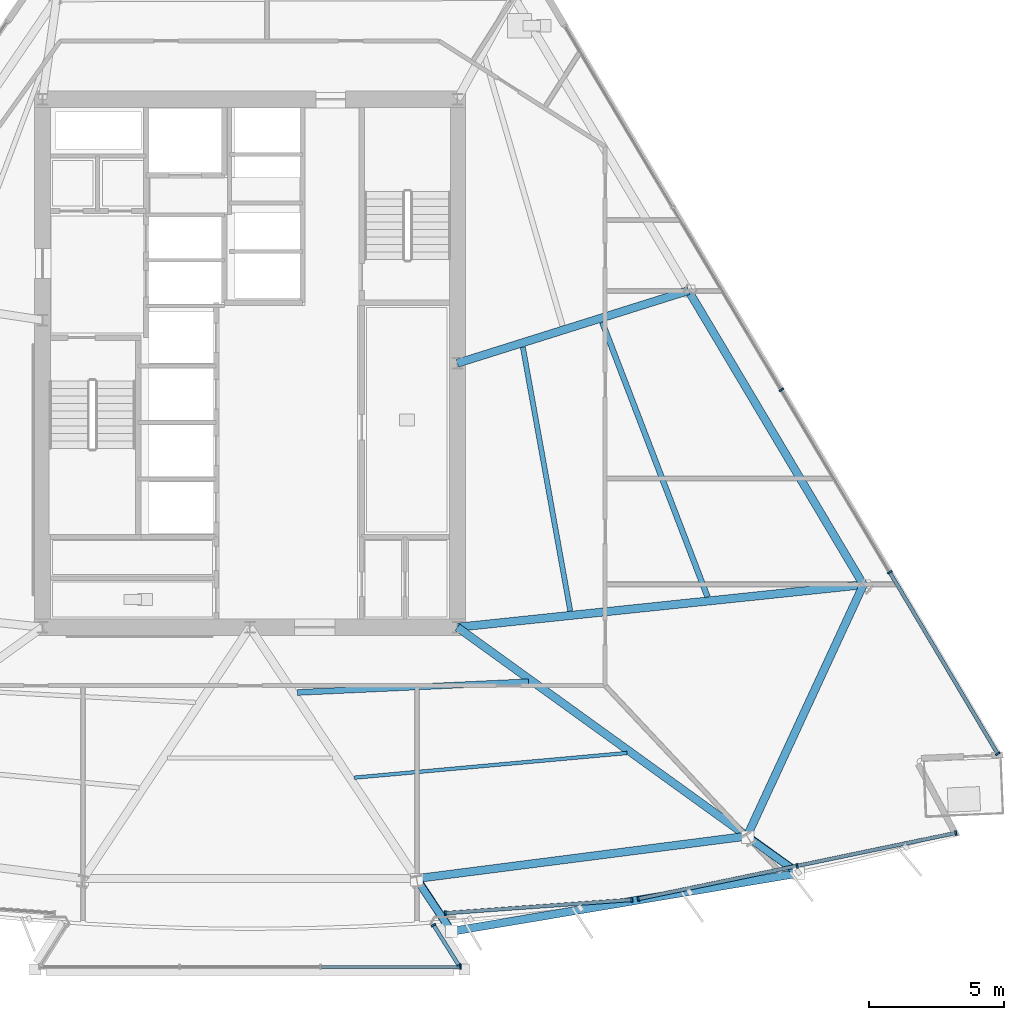
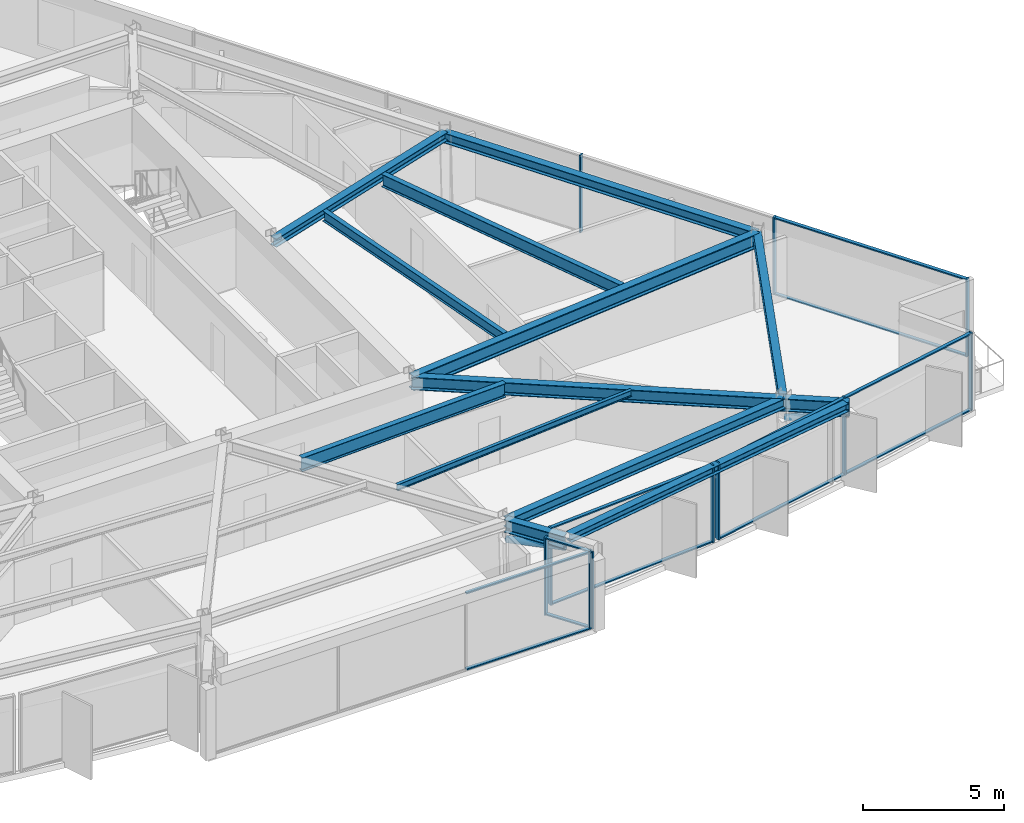
# One storey, part 4 of 15: 25 members, 13 beams, 5 elements without a shape of their own.
"""IFC4 building model written with IfcOpenShell, lengths in metres."""

from ifc_helpers import new_model, si_unit, direction, frame, origin, origin_2d, place, context, subcontext, project, spatial, rectangle, hollow_circle, i_section, extrude, material, material_profile, profile_set, type_object, element, aggregate, save


model = new_model("IFC4")

# Units and contexts
model_context = context("Model", 3, precision=1e-05, world=origin(), true_north=direction((0.0, 1.0)))
body_context = subcontext(model_context, "Body", "Model", "MODEL_VIEW")
ifc_project = project(units=[si_unit("LENGTHUNIT", "METRE"), si_unit("AREAUNIT", "SQUARE_METRE"), si_unit("VOLUMEUNIT", "CUBIC_METRE"), si_unit("PLANEANGLEUNIT", "RADIAN"), si_unit("MASSUNIT", "GRAM", prefix="KILO")], contexts=[model_context])

# Site, building, storey
site_placement = place(None, origin())
site = spatial("IfcSite", under=ifc_project, at=site_placement, CompositionType="ELEMENT")
building_placement = place(site_placement, origin())
building = spatial("IfcBuilding", under=site, at=building_placement, Name="Savorim Split Tower", CompositionType="ELEMENT")
storey_placement = place(building_placement, frame((0.0, 0.0, 118.5)))
storey = spatial("IfcBuildingStorey", under=building, at=storey_placement, Name="L31", CompositionType="ELEMENT", Elevation=118.5)

# Beams
ifc_material_1 = material(Name="Steel S355", Category="steel")
ifc_material_profile_1 = material_profile(ifc_material_1, i_section(OverallWidth=0.135009765625, OverallDepth=0.27001953125, WebThickness=0.006591796875, FlangeThickness=0.01025390625, FilletRadius=0.014892578125, at=origin_2d()), Name="IPE 270")
ifc_profile_set_1 = profile_set([ifc_material_profile_1], Name="Steel S355")
beam_type_1 = type_object("IfcBeamType", Name="BM-JST-IPE270", PredefinedType="JOIST", material=ifc_profile_set_1)
beam_1_placement = place(storey_placement, frame((3.8701171875, -14.982666015625, 3.215087890625), z_axis=(0.995928178654, 0.090150224415, 0.0), x_axis=(-0.090150224415, 0.995928178654, 0.0)))
element("IfcBeam", 1, at=beam_1_placement, inside=storey, type_object=beam_type_1, Name="L31 Secondary Floor Joist JS-04", PredefinedType="JOIST", context=body_context, shape_type="SweptSolid", body=[
    extrude(i_section(OverallWidth=0.135009765625, OverallDepth=0.27001953125, WebThickness=0.006591796875, FlangeThickness=0.01025390625, FilletRadius=0.014892578125, at=origin_2d()), origin(), (0.0, 0.0, 1.0), 10.163818359375),
])
ifc_material_profile_2 = material_profile(ifc_material_1, i_section(OverallWidth=0.18994140625, OverallDepth=0.449951171875, WebThickness=0.009521484375, FlangeThickness=0.0146484375, FilletRadius=0.02099609375, at=origin_2d()), Name="IPE 450")
ifc_profile_set_2 = profile_set([ifc_material_profile_2], Name="Steel S355")
beam_type_2 = type_object("IfcBeamType", Name="BM-JST-IPE450", PredefinedType="JOIST", material=ifc_profile_set_2)
beam_2_placement = place(storey_placement, frame((11.89111328125, -8.80029296875, 3.125), z_axis=(-0.176901657151, 0.984228532251, 0.0), x_axis=(-0.984228532251, -0.176901657151, 0.0)))
element("IfcBeam", 2, at=beam_2_placement, inside=storey, type_object=beam_type_2, Name="L31 Secondary Floor Joist JS-08", PredefinedType="JOIST", context=body_context, shape_type="SweptSolid", body=[
    extrude(i_section(OverallWidth=0.18994140625, OverallDepth=0.449951171875, WebThickness=0.009521484375, FlangeThickness=0.0146484375, FilletRadius=0.02099609375, at=origin_2d()), origin(), (0.0, 0.0, 1.0), 9.95458984375),
])
ifc_material_profile_3 = material_profile(ifc_material_1, i_section(OverallWidth=0.2099609375, OverallDepth=0.550048828125, WebThickness=0.010986328125, FlangeThickness=0.01708984375, FilletRadius=0.02392578125, at=origin_2d()), Name="IPE 550")
ifc_profile_set_3 = profile_set([ifc_material_profile_3], Name="Steel S355")
beam_type_3 = type_object("IfcBeamType", Name="BM-JST-IPE550", PredefinedType="JOIST", material=ifc_profile_set_3)
beam_3_placement = place(storey_placement, frame((16.985595703125, -8.271728515625, 3.074951171875), z_axis=(-0.358124799083, 0.933673726888, 0.0), x_axis=(-0.933673726888, -0.358124799083, 0.0)))
element("IfcBeam", 3, at=beam_3_placement, inside=storey, type_object=beam_type_3, Name="L31 Secondary Floor Joist JS-06", PredefinedType="JOIST", context=body_context, shape_type="SweptSolid", body=[
    extrude(i_section(OverallWidth=0.2099609375, OverallDepth=0.550048828125, WebThickness=0.010986328125, FlangeThickness=0.01708984375, FilletRadius=0.02392578125, at=origin_2d()), origin(), (0.0, 0.0, 1.0), 10.917724609375),
])
ifc_material_profile_4 = material_profile(ifc_material_1, i_section(OverallWidth=0.219970703125, OverallDepth=0.60009765625, WebThickness=0.011962890625, FlangeThickness=0.01904296875, FilletRadius=0.02392578125, at=origin_2d()), Name="IPE 600")
ifc_profile_set_4 = profile_set([ifc_material_profile_4], Name="Steel S355")
beam_type_4 = type_object("IfcBeamType", Name="BM-JST-IPE600", PredefinedType="JOIST", material=ifc_profile_set_4)
beam_4_placement = place(storey_placement, frame((1.767822265625, -11.818115234375, 3.050048828125), z_axis=(0.998940237007, 0.046026110934, 0.0), x_axis=(-0.046026110934, 0.998940237007, 0.0)))
element("IfcBeam", 4, at=beam_4_placement, inside=storey, type_object=beam_type_4, Name="L31 Secondary Floor Joist JS-05", PredefinedType="JOIST", context=body_context, shape_type="SweptSolid", body=[
    extrude(i_section(OverallWidth=0.219970703125, OverallDepth=0.60009765625, WebThickness=0.011962890625, FlangeThickness=0.01904296875, FilletRadius=0.02392578125, at=origin_2d()), origin(), (0.0, 0.0, 1.0), 8.5771484375),
])
ifc_material_profile_5 = material_profile(ifc_material_1, i_section(OverallWidth=0.300048828125, OverallDepth=0.360107421875, WebThickness=0.012451171875, FlangeThickness=0.0224609375, FilletRadius=0.027099609375, at=origin_2d()), Name="HEB 360")
ifc_profile_set_5 = profile_set([ifc_material_profile_5], Name="Steel S355")
beam_type_5 = type_object("IfcBeamType", Name="BM-PRI-HEB360", PredefinedType="BEAM", material=ifc_profile_set_5)
beam_5_placement = place(storey_placement, frame((16.27783203125, 3.095703125, 3.169921875), z_axis=(-0.953997045323, -0.299816006104, 0.0), x_axis=(0.299816006104, -0.953997045323, 0.0)))
element("IfcBeam", 5, at=beam_5_placement, inside=storey, type_object=beam_type_5, Name="L31 Primary Floor Girder RG-06", PredefinedType="BEAM", context=body_context, shape_type="SweptSolid", body=[
    extrude(i_section(OverallWidth=0.300048828125, OverallDepth=0.360107421875, WebThickness=0.012451171875, FlangeThickness=0.0224609375, FilletRadius=0.027099609375, at=origin_2d()), origin(), (0.0, 0.0, 1.0), 8.991455078125),
])
ifc_material_profile_6 = material_profile(ifc_material_1, i_section(OverallWidth=0.300048828125, OverallDepth=0.550048828125, WebThickness=0.014892578125, FlangeThickness=0.029052734375, FilletRadius=0.027099609375, at=origin_2d()), Name="HEB 550")
ifc_profile_set_6 = profile_set([ifc_material_profile_6], Name="Steel S355")
beam_type_6 = type_object("IfcBeamType", Name="BM-PRI-HEB550", PredefinedType="BEAM", material=ifc_profile_set_6)
beam_6_placement = place(storey_placement, frame((18.452880859375, -17.1533203125, 3.074951171875), z_axis=(-0.811129647131, 0.584866391191, 0.0), x_axis=(-0.584866391191, -0.811129647131, 0.0)))
element("IfcBeam", 6, at=beam_6_placement, inside=storey, type_object=beam_type_6, Name="L31 Primary Floor Girder RG-04", PredefinedType="BEAM", context=body_context, shape_type="SweptSolid", body=[
    extrude(i_section(OverallWidth=0.300048828125, OverallDepth=0.550048828125, WebThickness=0.014892578125, FlangeThickness=0.029052734375, FilletRadius=0.027099609375, at=origin_2d()), origin(), (0.0, 0.0, 1.0), 13.2568359375),
])
beam_7_placement = place(storey_placement, frame((6.1845703125, -18.728515625, 3.074951171875), z_axis=(0.552612579859, -0.83343826201, 0.0), x_axis=(0.83343826201, 0.552612579859, 0.0)))
element("IfcBeam", 7, at=beam_7_placement, inside=storey, type_object=beam_type_6, Name="L31 Cantilevered Lounge Rib 1", PredefinedType="BEAM", context=body_context, shape_type="SweptSolid", body=[
    extrude(i_section(OverallWidth=0.300048828125, OverallDepth=0.550048828125, WebThickness=0.014892578125, FlangeThickness=0.029052734375, FilletRadius=0.027099609375, at=origin_2d()), origin(), (0.0, 0.0, 1.0), 2.349853515625),
])
beam_8_placement = place(storey_placement, frame((18.452880859375, -17.1533203125, 3.074951171875), z_axis=(0.811177524869, -0.58479998559, 0.0), x_axis=(0.58479998559, 0.811177524869, 0.0)))
element("IfcBeam", 8, at=beam_8_placement, inside=storey, type_object=beam_type_6, Name="L31 Cantilevered Lounge Rib 2", PredefinedType="BEAM", context=body_context, shape_type="SweptSolid", body=[
    extrude(i_section(OverallWidth=0.300048828125, OverallDepth=0.550048828125, WebThickness=0.014892578125, FlangeThickness=0.029052734375, FilletRadius=0.027099609375, at=origin_2d()), origin(), (0.0, 0.0, 1.0), 2.35009765625),
])
ifc_material_2 = material(Name="Steel S460", Category="steel")
ifc_material_profile_7 = material_profile(ifc_material_2, i_section(OverallWidth=0.304931640625, OverallDepth=0.6201171875, WebThickness=0.02099609375, FlangeThickness=0.0400390625, FilletRadius=0.027099609375, at=origin_2d()), Name="HE 600 M")
ifc_profile_set_7 = profile_set([ifc_material_profile_7], Name="Steel S460")
beam_type_7 = type_object("IfcBeamType", Name="BM-PRI-HEM600", PredefinedType="BEAM", material=ifc_profile_set_7)
beam_9_placement = place(storey_placement, frame((22.769287109375, -7.821044921875, 3.0400390625), z_axis=(-0.994556102827, -0.104202487152, 0.0), x_axis=(0.104202487152, -0.994556102827, 0.0)))
element("IfcBeam", 9, at=beam_9_placement, inside=storey, type_object=beam_type_7, Name="L31 Primary Floor Girder RG-05", PredefinedType="BEAM", context=body_context, shape_type="SweptSolid", body=[
    extrude(i_section(OverallWidth=0.304931640625, OverallDepth=0.6201171875, WebThickness=0.02099609375, FlangeThickness=0.0400390625, FilletRadius=0.027099609375, at=origin_2d()), origin(), (0.0, 0.0, 1.0), 15.15185546875),
])
ifc_material_profile_8 = material_profile(ifc_material_1, i_section(OverallWidth=0.300048828125, OverallDepth=0.35009765625, WebThickness=0.010009765625, FlangeThickness=0.017578125, FilletRadius=0.027099609375, at=origin_2d()), Name="HEA 360")
ifc_profile_set_8 = profile_set([ifc_material_profile_8], Name="Steel S355")
beam_type_8 = type_object("IfcBeamType", Name="BM-SPN-HEA360", PredefinedType="SPANDREL", material=ifc_profile_set_8)
beam_10_placement = place(storey_placement, frame((7.64111328125, -20.660400390625, 3.175048828125), z_axis=(0.986230235182, 0.16537812193, 0.0), x_axis=(-0.16537812193, 0.986230235182, 0.0)))
element("IfcBeam", 10, at=beam_10_placement, inside=storey, type_object=beam_type_8, Name="L31 Cantilevered Lounge Front Edge Beam", PredefinedType="SPANDREL", context=body_context, shape_type="SweptSolid", body=[
    extrude(i_section(OverallWidth=0.300048828125, OverallDepth=0.35009765625, WebThickness=0.010009765625, FlangeThickness=0.017578125, FilletRadius=0.027099609375, at=origin_2d()), origin(), (0.0, 0.0, 1.0), 12.735595703125),
])
ifc_material_profile_9 = material_profile(ifc_material_1, i_section(OverallWidth=0.300048828125, OverallDepth=0.43994140625, WebThickness=0.011474609375, FlangeThickness=0.02099609375, FilletRadius=0.027099609375, at=origin_2d()), Name="HEA 450")
ifc_profile_set_9 = profile_set([ifc_material_profile_9], Name="Steel S355")
beam_type_9 = type_object("IfcBeamType", Name="BM-SPN-HEA450", PredefinedType="SPANDREL", material=ifc_profile_set_9)
beam_11_placement = place(storey_placement, frame((6.1845703125, -18.728515625, 3.1298828125), z_axis=(0.991857836494, 0.12735003803, 0.0), x_axis=(-0.12735003803, 0.991857836494, 0.0)))
element("IfcBeam", 11, at=beam_11_placement, inside=storey, type_object=beam_type_9, Name="L31 Perimeter Spandrel Beam 3", PredefinedType="SPANDREL", context=body_context, shape_type="SweptSolid", body=[
    extrude(i_section(OverallWidth=0.300048828125, OverallDepth=0.43994140625, WebThickness=0.011474609375, FlangeThickness=0.02099609375, FilletRadius=0.027099609375, at=origin_2d()), origin(), (0.0, 0.0, 1.0), 12.369140625),
])
beam_12_placement = place(storey_placement, frame((18.452880859375, -17.1533203125, 3.1298828125), z_axis=(0.419795843854, 0.907618559464, 0.0), x_axis=(-0.907618559464, 0.419795843854, 0.0)))
element("IfcBeam", 12, at=beam_12_placement, inside=storey, type_object=beam_type_9, Name="L31 Perimeter Spandrel Beam 4", PredefinedType="SPANDREL", context=body_context, shape_type="SweptSolid", body=[
    extrude(i_section(OverallWidth=0.300048828125, OverallDepth=0.43994140625, WebThickness=0.011474609375, FlangeThickness=0.02099609375, FilletRadius=0.027099609375, at=origin_2d()), origin(), (0.0, 0.0, 1.0), 10.2822265625),
])
beam_13_placement = place(storey_placement, frame((22.769287109375, -7.821044921875, 3.1298828125), z_axis=(-0.511099573458, 0.859521509917, 0.0), x_axis=(-0.859521509917, -0.511099573458, 0.0)))
element("IfcBeam", 13, at=beam_13_placement, inside=storey, type_object=beam_type_9, Name="L31 Perimeter Spandrel Beam 5", PredefinedType="SPANDREL", context=body_context, shape_type="SweptSolid", body=[
    extrude(i_section(OverallWidth=0.300048828125, OverallDepth=0.43994140625, WebThickness=0.011474609375, FlangeThickness=0.02099609375, FilletRadius=0.027099609375, at=origin_2d()), origin(), (0.0, 0.0, 1.0), 12.700927734375),
])

# Curtain wall, members
ifc_material_3 = material(Name="Dark Ceramic-Fritted Insulated Glass", Category="glass")
curtain_wall_type_1 = type_object("IfcCurtainWallType", Name="CW-TWR-FRIT-A", PredefinedType="NOTDEFINED", material=ifc_material_3)
curtain_wall_1_placement = place(storey_placement, origin())
curtain_wall_1 = element("IfcCurtainWall", 14, at=curtain_wall_1_placement, inside=storey, type_object=curtain_wall_type_1, Name="L31 Curtain Wall CW-L31-SF3A", PredefinedType="NOTDEFINED")
ifc_material_4 = material(Name="Charcoal Anodised Aluminium", Category="aluminium")
ifc_material_profile_10 = material_profile(ifc_material_4, rectangle(XDim=0.179931640625, YDim=0.06494140625, at=origin_2d()), Name="ALU-M 180x65")
ifc_profile_set_10 = profile_set([ifc_material_profile_10], Name="Charcoal Anodised Aluminium")
member_type_1 = type_object("IfcMemberType", Name="CWM-180x65", PredefinedType="MULLION", material=ifc_profile_set_10)
member_1_placement = place(storey_placement, frame((7.253662109375, -20.010498046875, 0.0), z_axis=(0.0, 0.0, 1.0), x_axis=(-0.071548593758, 0.997437115176, 0.0)))
member_1 = element("IfcMember", 15, at=member_1_placement, type_object=member_type_1, Name="CW-02 mullion 1", PredefinedType="MULLION", context=body_context, shape_type="SweptSolid", body=[
    extrude(rectangle(XDim=0.179931640625, YDim=0.06494140625, at=origin_2d()), origin(), (0.0, 0.0, 1.0), 3.35009765625),
])
member_2_placement = place(storey_placement, frame((14.170166015625, -19.514404296875, 0.0), z_axis=(0.0, 0.0, 1.0), x_axis=(-0.071548593758, 0.997437115176, 0.0)))
member_2 = element("IfcMember", 16, at=member_2_placement, type_object=member_type_1, Name="CW-02 mullion 2", PredefinedType="MULLION", context=body_context, shape_type="SweptSolid", body=[
    extrude(rectangle(XDim=0.179931640625, YDim=0.06494140625, at=origin_2d()), origin(), (0.0, 0.0, 1.0), 3.35009765625),
])

curtain_wall_2_placement = place(storey_placement, origin())
curtain_wall_2 = element("IfcCurtainWall", 17, at=curtain_wall_2_placement, inside=storey, type_object=curtain_wall_type_1, Name="L31 Curtain Wall CW-L31-SF4A", PredefinedType="NOTDEFINED")
member_3_placement = place(storey_placement, frame((14.416259765625, -19.47998046875, 0.0), z_axis=(0.0, 0.0, 1.0), x_axis=(-0.203216307351, 0.979133868491, 0.0)))
member_3 = element("IfcMember", 18, at=member_3_placement, type_object=member_type_1, Name="CW-02 mullion 1", PredefinedType="MULLION", context=body_context, shape_type="SweptSolid", body=[
    extrude(rectangle(XDim=0.179931640625, YDim=0.06494140625, at=origin_2d()), origin(), (0.0, 0.0, 1.0), 3.35009765625),
])
member_4_placement = place(storey_placement, frame((20.30859375, -18.257080078125, 0.0), z_axis=(0.0, 0.0, 1.0), x_axis=(-0.203216307351, 0.979133868491, 0.0)))
member_4 = element("IfcMember", 19, at=member_4_placement, type_object=member_type_1, Name="CW-02 mullion 2", PredefinedType="MULLION", context=body_context, shape_type="SweptSolid", body=[
    extrude(rectangle(XDim=0.179931640625, YDim=0.06494140625, at=origin_2d()), origin(), (0.0, 0.0, 1.0), 3.35009765625),
])
member_5_placement = place(storey_placement, frame((26.201171875, -17.0341796875, 0.0), z_axis=(0.0, 0.0, 1.0), x_axis=(-0.203216307351, 0.979133868491, 0.0)))
member_5 = element("IfcMember", 20, at=member_5_placement, type_object=member_type_1, Name="CW-02 mullion 3", PredefinedType="MULLION", context=body_context, shape_type="SweptSolid", body=[
    extrude(rectangle(XDim=0.179931640625, YDim=0.06494140625, at=origin_2d()), origin(), (0.0, 0.0, 1.0), 3.35009765625),
])

# Curtain wall, member
curtain_wall_type_2 = type_object("IfcCurtainWallType", Name="CW-BAY-LOUNGE", PredefinedType="NOTDEFINED", material=ifc_material_3)
curtain_wall_3_placement = place(storey_placement, origin())
curtain_wall_3 = element("IfcCurtainWall", 21, at=curtain_wall_3_placement, inside=storey, type_object=curtain_wall_type_2, Name="L31 Curtain Wall CW-L31-BAYF", PredefinedType="NOTDEFINED")
member_6_placement = place(storey_placement, frame((7.814453125, -21.99951171875, 0.0), z_axis=(0.0, 0.0, 1.0), x_axis=(0.0, 1.0, 0.0)))
member_6 = element("IfcMember", 22, at=member_6_placement, type_object=member_type_1, Name="CW-04 mullion 4", PredefinedType="MULLION", context=body_context, shape_type="SweptSolid", body=[
    extrude(rectangle(XDim=0.179931640625, YDim=0.06494140625, at=origin_2d()), origin(), (0.0, 0.0, 1.0), 3.35009765625),
])

# Curtain wall, members
curtain_wall_4_placement = place(storey_placement, origin())
curtain_wall_4 = element("IfcCurtainWall", 23, at=curtain_wall_4_placement, inside=storey, type_object=curtain_wall_type_2, Name="L31 Curtain Wall CW-L31-BAYE", PredefinedType="NOTDEFINED")
member_7_placement = place(storey_placement, frame((7.756103515625, -21.951416015625, 0.0), z_axis=(0.0, 0.0, 1.0), x_axis=(-0.847130755522, -0.531384496432, 0.0)))
member_7 = element("IfcMember", 24, at=member_7_placement, type_object=member_type_1, Name="CW-04 mullion 1", PredefinedType="MULLION", context=body_context, shape_type="SweptSolid", body=[
    extrude(rectangle(XDim=0.179931640625, YDim=0.06494140625, at=origin_2d()), origin(), (0.0, 0.0, 1.0), 3.35009765625),
])
member_8_placement = place(storey_placement, frame((6.8154296875, -20.4521484375, 0.0), z_axis=(0.0, 0.0, 1.0), x_axis=(-0.847130755522, -0.531384496432, 0.0)))
member_8 = element("IfcMember", 25, at=member_8_placement, type_object=member_type_1, Name="CW-04 mullion 2", PredefinedType="MULLION", context=body_context, shape_type="SweptSolid", body=[
    extrude(rectangle(XDim=0.179931640625, YDim=0.06494140625, at=origin_2d()), origin(), (0.0, 0.0, 1.0), 3.35009765625),
])

curtain_wall_5_placement = place(storey_placement, origin())
curtain_wall_5 = element("IfcCurtainWall", 26, at=curtain_wall_5_placement, inside=storey, type_object=curtain_wall_type_1, Name="L31 Curtain Wall CW-L31-EAST", PredefinedType="NOTDEFINED")
member_9_placement = place(storey_placement, frame((27.75634765625, -14.09765625, 0.0), z_axis=(0.0, 0.0, 1.0), x_axis=(-0.859525409745, -0.51109301502, 0.0)))
member_9 = element("IfcMember", 27, at=member_9_placement, type_object=member_type_1, Name="CW-02 mullion 1", PredefinedType="MULLION", context=body_context, shape_type="SweptSolid", body=[
    extrude(rectangle(XDim=0.179931640625, YDim=0.06494140625, at=origin_2d()), origin(), (0.0, 0.0, 1.0), 3.35009765625),
])
member_10_placement = place(storey_placement, frame((23.748046875, -7.356689453125, 0.0), z_axis=(0.0, 0.0, 1.0), x_axis=(-0.859525409745, -0.51109301502, 0.0)))
member_10 = element("IfcMember", 28, at=member_10_placement, type_object=member_type_1, Name="CW-02 mullion 2", PredefinedType="MULLION", context=body_context, shape_type="SweptSolid", body=[
    extrude(rectangle(XDim=0.179931640625, YDim=0.06494140625, at=origin_2d()), origin(), (0.0, 0.0, 1.0), 3.35009765625),
])
member_11_placement = place(storey_placement, frame((19.72314453125, -0.587890625, 0.0), z_axis=(0.0, 0.0, 1.0), x_axis=(-0.859525409745, -0.51109301502, 0.0)))
member_11 = element("IfcMember", 29, at=member_11_placement, type_object=member_type_1, Name="CW-02 mullion 3", PredefinedType="MULLION", context=body_context, shape_type="SweptSolid", body=[
    extrude(rectangle(XDim=0.179931640625, YDim=0.06494140625, at=origin_2d()), origin(), (0.0, 0.0, 1.0), 3.35009765625),
])

# Member
ifc_material_profile_11 = material_profile(ifc_material_4, rectangle(XDim=0.139892578125, YDim=0.054931640625, at=origin_2d()), Name="ALU-T 140x55")
ifc_profile_set_11 = profile_set([ifc_material_profile_11], Name="Charcoal Anodised Aluminium")
member_type_2 = type_object("IfcMemberType", Name="CWT-140x55", PredefinedType="USERDEFINED", material=ifc_profile_set_11)
member_12_placement = place(storey_placement, frame((7.2861328125, -20.008056640625, 0.027587890625), z_axis=(0.997437548387, 0.071542554246, 0.0), x_axis=(-0.071542554246, 0.997437548387, 0.0)))
member_12 = element("IfcMember", 30, at=member_12_placement, type_object=member_type_2, Name="CW-02 transom 1.1", ObjectType="TRANSOM", PredefinedType="USERDEFINED", context=body_context, shape_type="SweptSolid", body=[
    extrude(rectangle(XDim=0.139892578125, YDim=0.054931640625, at=origin_2d()), origin(), (0.0, 0.0, 1.0), 6.869384765625),
])

member_13_placement = place(storey_placement, frame((7.2861328125, -20.008056640625, 3.322509765625), z_axis=(0.997437548387, 0.071542554246, 0.0), x_axis=(-0.071542554246, 0.997437548387, 0.0)))
member_13 = element("IfcMember", 31, at=member_13_placement, type_object=member_type_2, Name="CW-02 transom 1.2", ObjectType="TRANSOM", PredefinedType="USERDEFINED", context=body_context, shape_type="SweptSolid", body=[
    extrude(rectangle(XDim=0.139892578125, YDim=0.054931640625, at=origin_2d()), origin(), (0.0, 0.0, 1.0), 6.869384765625),
])

aggregate(curtain_wall_1, [member_1, member_2, member_12, member_13])

member_14_placement = place(storey_placement, frame((14.4482421875, -19.473388671875, 0.027587890625), z_axis=(0.979133683494, 0.203217198698, 0.0), x_axis=(-0.203217198698, 0.979133683494, 0.0)))
member_14 = element("IfcMember", 32, at=member_14_placement, type_object=member_type_2, Name="CW-02 transom 1.1", ObjectType="TRANSOM", PredefinedType="USERDEFINED", context=body_context, shape_type="SweptSolid", body=[
    extrude(rectangle(XDim=0.139892578125, YDim=0.054931640625, at=origin_2d()), origin(), (0.0, 0.0, 1.0), 5.952880859375),
])

member_15_placement = place(storey_placement, frame((14.4482421875, -19.473388671875, 3.322509765625), z_axis=(0.979133683494, 0.203217198698, 0.0), x_axis=(-0.203217198698, 0.979133683494, 0.0)))
member_15 = element("IfcMember", 33, at=member_15_placement, type_object=member_type_2, Name="CW-02 transom 1.2", ObjectType="TRANSOM", PredefinedType="USERDEFINED", context=body_context, shape_type="SweptSolid", body=[
    extrude(rectangle(XDim=0.139892578125, YDim=0.054931640625, at=origin_2d()), origin(), (0.0, 0.0, 1.0), 5.952880859375),
])

member_16_placement = place(storey_placement, frame((20.340576171875, -18.25048828125, 0.027587890625), z_axis=(0.979133683494, 0.203217198698, 0.0), x_axis=(-0.203217198698, 0.979133683494, 0.0)))
member_16 = element("IfcMember", 34, at=member_16_placement, type_object=member_type_2, Name="CW-02 transom 2.1", ObjectType="TRANSOM", PredefinedType="USERDEFINED", context=body_context, shape_type="SweptSolid", body=[
    extrude(rectangle(XDim=0.139892578125, YDim=0.054931640625, at=origin_2d()), origin(), (0.0, 0.0, 1.0), 5.952880859375),
])

member_17_placement = place(storey_placement, frame((20.340576171875, -18.25048828125, 3.322509765625), z_axis=(0.979133683494, 0.203217198698, 0.0), x_axis=(-0.203217198698, 0.979133683494, 0.0)))
member_17 = element("IfcMember", 35, at=member_17_placement, type_object=member_type_2, Name="CW-02 transom 2.2", ObjectType="TRANSOM", PredefinedType="USERDEFINED", context=body_context, shape_type="SweptSolid", body=[
    extrude(rectangle(XDim=0.139892578125, YDim=0.054931640625, at=origin_2d()), origin(), (0.0, 0.0, 1.0), 5.952880859375),
])

aggregate(curtain_wall_2, [member_3, member_4, member_5, member_14, member_15, member_16, member_17])

member_18_placement = place(storey_placement, frame((2.648193359375, -21.99951171875, 0.027587890625), z_axis=(1.0, 0.0, 0.0), x_axis=(0.0, 1.0, 0.0)))
member_18 = element("IfcMember", 36, at=member_18_placement, type_object=member_type_2, Name="CW-04 transom 3.1", ObjectType="TRANSOM", PredefinedType="USERDEFINED", context=body_context, shape_type="SweptSolid", body=[
    extrude(rectangle(XDim=0.139892578125, YDim=0.054931640625, at=origin_2d()), origin(), (0.0, 0.0, 1.0), 5.1337890625),
])

member_19_placement = place(storey_placement, frame((2.648193359375, -21.99951171875, 3.322509765625), z_axis=(1.0, 0.0, 0.0), x_axis=(0.0, 1.0, 0.0)))
member_19 = element("IfcMember", 37, at=member_19_placement, type_object=member_type_2, Name="CW-04 transom 3.2", ObjectType="TRANSOM", PredefinedType="USERDEFINED", context=body_context, shape_type="SweptSolid", body=[
    extrude(rectangle(XDim=0.139892578125, YDim=0.054931640625, at=origin_2d()), origin(), (0.0, 0.0, 1.0), 5.1337890625),
])

aggregate(curtain_wall_3, [member_6, member_18, member_19])

member_20_placement = place(storey_placement, frame((7.73876953125, -21.923828125, 0.027587890625), z_axis=(-0.531388323882, 0.847128354644, 0.0), x_axis=(-0.847128354644, -0.531388323882, 0.0)))
member_20 = element("IfcMember", 38, at=member_20_placement, type_object=member_type_2, Name="CW-04 transom 1.1", ObjectType="TRANSOM", PredefinedType="USERDEFINED", context=body_context, shape_type="SweptSolid", body=[
    extrude(rectangle(XDim=0.139892578125, YDim=0.054931640625, at=origin_2d()), origin(), (0.0, 0.0, 1.0), 1.705078125),
])

member_21_placement = place(storey_placement, frame((7.73876953125, -21.923828125, 3.322509765625), z_axis=(-0.531388323882, 0.847128354644, 0.0), x_axis=(-0.847128354644, -0.531388323882, 0.0)))
member_21 = element("IfcMember", 39, at=member_21_placement, type_object=member_type_2, Name="CW-04 transom 1.2", ObjectType="TRANSOM", PredefinedType="USERDEFINED", context=body_context, shape_type="SweptSolid", body=[
    extrude(rectangle(XDim=0.139892578125, YDim=0.054931640625, at=origin_2d()), origin(), (0.0, 0.0, 1.0), 1.705078125),
])

aggregate(curtain_wall_4, [member_7, member_8, member_20, member_21])

member_22_placement = place(storey_placement, frame((27.73974609375, -14.069580078125, 0.027587890625), z_axis=(-0.511107986277, 0.859516507325, 0.0), x_axis=(-0.859516507325, -0.511107986277, 0.0)))
member_22 = element("IfcMember", 40, at=member_22_placement, type_object=member_type_2, Name="CW-02 transom 1.1", ObjectType="TRANSOM", PredefinedType="USERDEFINED", context=body_context, shape_type="SweptSolid", body=[
    extrude(rectangle(XDim=0.139892578125, YDim=0.054931640625, at=origin_2d()), origin(), (0.0, 0.0, 1.0), 7.77734375),
])

member_23_placement = place(storey_placement, frame((27.73974609375, -14.069580078125, 3.322509765625), z_axis=(-0.511107986277, 0.859516507325, 0.0), x_axis=(-0.859516507325, -0.511107986277, 0.0)))
member_23 = element("IfcMember", 41, at=member_23_placement, type_object=member_type_2, Name="CW-02 transom 1.2", ObjectType="TRANSOM", PredefinedType="USERDEFINED", context=body_context, shape_type="SweptSolid", body=[
    extrude(rectangle(XDim=0.139892578125, YDim=0.054931640625, at=origin_2d()), origin(), (0.0, 0.0, 1.0), 7.77734375),
])

aggregate(curtain_wall_5, [member_9, member_10, member_11, member_22, member_23])

# Members
ifc_material_profile_12 = material_profile(ifc_material_1, hollow_circle(Radius=0.136474609375, WallThickness=0.01611328125, at=origin_2d()), Name="CHS 273x16")
ifc_profile_set_12 = profile_set([ifc_material_profile_12], Name="Steel S355")
member_type_3 = type_object("IfcMemberType", Name="MBR-CRN-CHS273", PredefinedType="BRACE", material=ifc_profile_set_12)
member_24_placement = place(storey_placement, frame((6.1923828125, -18.768798828125, 2.449951171875), z_axis=(0.551258565689, -0.819224238815, 0.158068467105), x_axis=(0.829654527603, 0.558277139804, 0.0)))
element("IfcMember", 42, at=member_24_placement, inside=storey, type_object=member_type_3, Name="L31 Cantilevered Bay Support Strut 1", PredefinedType="BRACE", context=body_context, shape_type="SweptSolid", body=[
    extrude(hollow_circle(Radius=0.136474609375, WallThickness=0.01611328125, at=origin_2d()), origin(), (0.0, 0.0, 1.0), 2.341552734375),
])
member_25_placement = place(storey_placement, frame((18.4765625, -17.191650390625, 2.449951171875), z_axis=(0.805238825714, -0.571426125574, 0.15831177017), x_axis=(0.578724316501, 0.815523246444, 0.0)))
element("IfcMember", 43, at=member_25_placement, inside=storey, type_object=member_type_3, Name="L31 Cantilevered Bay Support Strut 2", PredefinedType="BRACE", context=body_context, shape_type="SweptSolid", body=[
    extrude(hollow_circle(Radius=0.136474609375, WallThickness=0.01611328125, at=origin_2d()), origin(), (0.0, 0.0, 1.0), 2.337890625),
])

save(model, "model.ifc")
